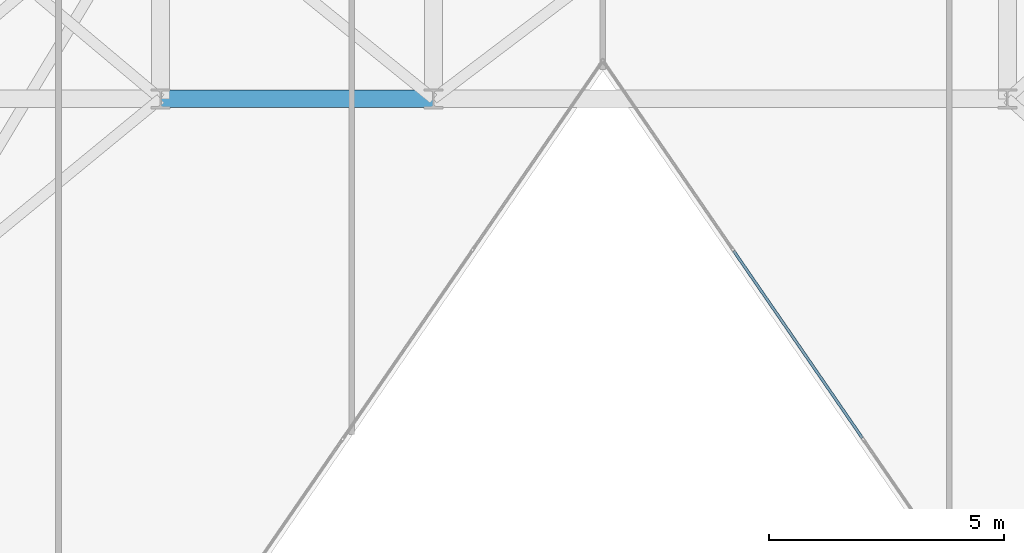
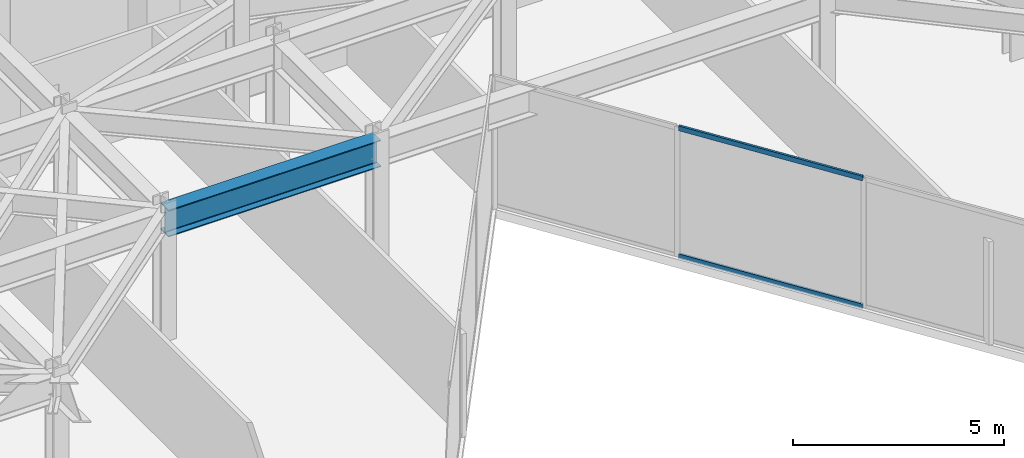
# One storey, part 5 of 21: 2 members, 1 beam, 1 element without a shape of its own.
"""IFC4 building model written with IfcOpenShell, lengths in metres."""

import ifcopenshell
import ifcopenshell.guid

model = None  # the IFC model being written
_history = None  # IfcOwnerHistory: only IFC2X3 demands one
_inside = {}  # id of a spatial element -> (the spatial element, [elements in it])
_under = {}  # id of a project, library or spatial element -> (it, [spatial elements below it])
_declared = {}  # id of a project -> (the project, [libraries it declares])
_typed = {}  # id of a type object -> (the type object, [elements of that type])
_made_of = {}  # id of a material, layer set ... -> (it, [elements and type objects made of it])


def new_model(schema):
    """Start an empty IFC model of exactly this schema.

    Asked for "IFC4X3", IfcOpenShell would pick the latest addendum, in which some entities
    have other attributes; the version numbers below select the first issue.
    IFC2X3 requires an IfcOwnerHistory on every rooted entity: one is made here for all.
    """
    global model, _history
    if schema == "IFC4X3":
        model = ifcopenshell.file(schema_version=(4, 3, 0, 0))
    else:
        model = ifcopenshell.file(schema=schema)
    _inside.clear()
    _under.clear()
    _declared.clear()
    _typed.clear()
    _made_of.clear()
    _history = None
    if model.schema == "IFC2X3":
        org = make("IfcOrganization", Name="unknown")
        user = make(
            "IfcPersonAndOrganization",
            ThePerson=make("IfcPerson", FamilyName="unknown"),
            TheOrganization=org,
        )
        app = make(
            "IfcApplication",
            ApplicationDeveloper=org,
            Version="unknown",
            ApplicationFullName="unknown",
            ApplicationIdentifier="unknown",
        )
        _history = make(
            "IfcOwnerHistory",
            OwningUser=user,
            OwningApplication=app,
            ChangeAction="ADDED",
            CreationDate=0,
        )
    return model


def make(cls, **values):
    """One entity of the class cls with the attributes given. An attribute that is None is left unset."""
    return model.create_entity(
        cls, **{name: value for name, value in values.items() if value is not None}
    )


def rooted(cls, **values):
    """An entity with a GlobalId (a new one), such as an element, a storey or a relation."""
    return make(cls, GlobalId=ifcopenshell.guid.new(), OwnerHistory=_history, **values)


def si_unit(unit_type, name, prefix=None):
    """IfcSIUnit, for example si_unit("LENGTHUNIT", "METRE", prefix="MILLI")."""
    return make("IfcSIUnit", UnitType=unit_type, Prefix=prefix, Name=name)


def assignment(units):
    """IfcUnitAssignment: the units of a project."""
    return None if units is None else make("IfcUnitAssignment", Units=units)


def point(xyz):
    """IfcCartesianPoint."""
    return None if xyz is None else make("IfcCartesianPoint", Coordinates=xyz)


def direction(xyz):
    """IfcDirection."""
    return None if xyz is None else make("IfcDirection", DirectionRatios=xyz)


def frame(location, z_axis=None, x_axis=None):
    """IfcAxis2Placement3D, a coordinate frame: its origin and axes. An axis left out is left unset."""
    return make(
        "IfcAxis2Placement3D",
        Location=point(location),
        Axis=direction(z_axis),
        RefDirection=direction(x_axis),
    )


def frame_2d(location, x_axis=None):
    """IfcAxis2Placement2D, a coordinate frame in the plane: its origin and x axis."""
    return make(
        "IfcAxis2Placement2D", Location=point(location), RefDirection=direction(x_axis)
    )


def origin():
    """The frame at (0, 0, 0) with its axes left unset."""
    return frame((0.0, 0.0, 0.0))


def origin_2d():
    """The frame at (0, 0) in the plane with its x axis left unset."""
    return frame_2d((0.0, 0.0))


def place(relative_to, where):
    """IfcLocalPlacement: puts the frame where relative to a parent placement (None: the world)."""
    return make(
        "IfcLocalPlacement", PlacementRelTo=relative_to, RelativePlacement=where
    )


def context(
    kind, dimensions, precision=None, world=None, true_north=None, identifier=None
):
    """IfcGeometricRepresentationContext, for example the 3D "Model" context."""
    return make(
        "IfcGeometricRepresentationContext",
        ContextIdentifier=identifier,
        ContextType=kind,
        CoordinateSpaceDimension=dimensions,
        Precision=precision,
        WorldCoordinateSystem=world,
        TrueNorth=true_north,
    )


def subcontext(parent, identifier, kind, view, scale=None):
    """IfcGeometricRepresentationSubContext, for example "Body" below "Model"."""
    return make(
        "IfcGeometricRepresentationSubContext",
        ContextIdentifier=identifier,
        ContextType=kind,
        ParentContext=parent,
        TargetScale=scale,
        TargetView=view,
    )


def project(units=None, contexts=None):
    """IfcProject with its units and contexts."""
    return rooted(
        "IfcProject",
        Name="project",
        RepresentationContexts=contexts,
        UnitsInContext=assignment(units),
    )


def spatial(cls, under=None, at=None, **own):
    """A site, building, storey or space (cls), placed at a placement, below another one or the project."""
    s = rooted(cls, ObjectPlacement=at, **own)
    if under is not None:
        _under.setdefault(under.id(), (under, []))[1].append(s)
    return s


def profile(cls, at=None, kind="AREA", **sizes):
    """A parametric profile (cls). Its sizes go by their IFC names, for example OverallWidth=200.0."""
    return make(cls, ProfileType=kind, Position=at, **sizes)


def hollow_rectangle(**sizes):
    """IfcRectangleHollowProfileDef."""
    return profile("IfcRectangleHollowProfileDef", **sizes)


def i_section(**sizes):
    """IfcIShapeProfileDef."""
    return profile("IfcIShapeProfileDef", **sizes)


def extrude(swept, where, along, depth):
    """IfcExtrudedAreaSolid: the profile swept, set in the frame where, extruded along a direction by depth."""
    return make(
        "IfcExtrudedAreaSolid",
        SweptArea=swept,
        Position=where,
        ExtrudedDirection=direction(along),
        Depth=depth,
    )


def shape(context_of_items, identifier, shape_type, items):
    """IfcShapeRepresentation: the items that make up one representation, for example the "Body"."""
    return make(
        "IfcShapeRepresentation",
        ContextOfItems=context_of_items,
        RepresentationIdentifier=identifier,
        RepresentationType=shape_type,
        Items=items,
    )


def material(Name=None, Category=None):
    """IfcMaterial."""
    return make("IfcMaterial", Name=Name, Category=Category)


def layer(
    of_material, thickness, ventilated=None, Name=None, Category=None, Priority=None
):
    """IfcMaterialLayer: one layer of a wall or slab, of a material (None: an air gap)."""
    return make(
        "IfcMaterialLayer",
        Material=of_material,
        LayerThickness=thickness,
        IsVentilated=ventilated,
        Name=Name,
        Category=Category,
        Priority=Priority,
    )


def layer_set(layers, Name=None):
    """IfcMaterialLayerSet."""
    return make("IfcMaterialLayerSet", MaterialLayers=layers, LayerSetName=Name)


def material_profile(
    of_material, cross_section, Name=None, Category=None, Priority=None
):
    """IfcMaterialProfile: a cross section and its material."""
    return make(
        "IfcMaterialProfile",
        Name=Name,
        Material=of_material,
        Profile=cross_section,
        Priority=Priority,
        Category=Category,
    )


def profile_set(profiles, Name=None, composite=None):
    """IfcMaterialProfileSet."""
    return make(
        "IfcMaterialProfileSet",
        Name=Name,
        MaterialProfiles=profiles,
        CompositeProfile=composite,
    )


def made_of(thing, what):
    """Note that an element or type object is made of a material, layer set ...; save() writes the relation."""
    if what is not None:
        _made_of.setdefault(what.id(), (what, []))[1].append(thing)
    return thing


def type_object(cls, material=None, **own):
    """A type object (cls), such as IfcWallType, which elements share."""
    return made_of(rooted(cls, **own), material)


def element(
    cls,
    number,
    at=None,
    inside=None,
    cuts=None,
    type_object=None,
    material=None,
    context=None,
    identifier="Body",
    shape_type=None,
    held_by="IfcProductDefinitionShape",
    body=None,
    shapes=None,
    **own,
):
    """One element of the class cls, such as IfcWall. Its Tag is "e" and its number.

    at: its placement. inside: the storey or other place that contains it. cuts: it is an
    opening in that element (IfcRelVoidsElement). A single representation is given by context,
    identifier, shape_type and body (its items); several are given by shapes. held_by: the class
    of the entity that holds the representations. save() writes the other relations.
    """
    e = rooted(cls, Tag="e%d" % number, ObjectPlacement=at, **own)
    if body is not None:
        shapes = [shape(context, identifier, shape_type, body)]
    if shapes is not None:
        e.Representation = make(held_by, Representations=shapes)
    if inside is not None:
        _inside.setdefault(inside.id(), (inside, []))[1].append(e)
    if cuts is not None:
        rooted(
            "IfcRelVoidsElement", RelatingBuildingElement=cuts, RelatedOpeningElement=e
        )
    if type_object is not None:
        _typed.setdefault(type_object.id(), (type_object, []))[1].append(e)
    return made_of(e, material)


def aggregate(whole, parts):
    """IfcRelAggregates: a whole, such as a stair, and the parts it consists of."""
    return rooted("IfcRelAggregates", RelatingObject=whole, RelatedObjects=parts)


def save(model, path):
    """Write the relations noted so far, then the file.

    IfcRelAggregates (storeys below a building ...), IfcRelContainedInSpatialStructure (elements
    in a storey), IfcRelDefinesByType, IfcRelAssociatesMaterial and IfcRelDeclares: one each for
    every whole, place, type object, material and project.
    """
    for whole, parts in _under.values():
        aggregate(whole, parts)
    for where, things in _inside.values():
        rooted(
            "IfcRelContainedInSpatialStructure",
            RelatedElements=things,
            RelatingStructure=where,
        )
    for kind, things in _typed.values():
        rooted("IfcRelDefinesByType", RelatedObjects=things, RelatingType=kind)
    for what, things in _made_of.values():
        rooted("IfcRelAssociatesMaterial", RelatedObjects=things, RelatingMaterial=what)
    for by, libraries in _declared.values():
        rooted("IfcRelDeclares", RelatingContext=by, RelatedDefinitions=libraries)
    model.write(path)


model = new_model("IFC4")

# Units and contexts
model_context = context("Model", 3, precision=1e-05, world=origin(), true_north=direction((0.0, 1.0)))
body_context = subcontext(model_context, "Body", "Model", "MODEL_VIEW")
ifc_project = project(units=[si_unit("LENGTHUNIT", "METRE"), si_unit("AREAUNIT", "SQUARE_METRE"), si_unit("VOLUMEUNIT", "CUBIC_METRE"), si_unit("PLANEANGLEUNIT", "RADIAN"), si_unit("MASSUNIT", "GRAM", prefix="KILO")], contexts=[model_context])

# Site, building, storey
site_placement = place(None, origin())
site = spatial("IfcSite", under=ifc_project, at=site_placement, CompositionType="ELEMENT")
building_placement = place(site_placement, origin())
building = spatial("IfcBuilding", under=site, at=building_placement, Name="Kravanh Interchange Tower", CompositionType="ELEMENT")
storey_placement = place(building_placement, frame((0.0, 0.0, 192.5)))
storey = spatial("IfcBuildingStorey", under=building, at=storey_placement, Name="L46", CompositionType="ELEMENT", Elevation=192.5)

# Curtain wall, members
ifc_material_1 = material(Name="Anodised Bronze Aluminium", Category="aluminium")
ifc_layer = layer(ifc_material_1, 0.179931640625)
ifc_layer_set = layer_set([ifc_layer], Name="Unitised Curtain Wall System CW-Z3 Upper Office")
curtain_wall_type = type_object("IfcCurtainWallType", Name="Unitised Curtain Wall System CW-Z3 Upper Office", PredefinedType="NOTDEFINED", material=ifc_layer_set)
curtain_wall_placement = place(storey_placement, origin())
curtain_wall = element("IfcCurtainWall", 1, at=curtain_wall_placement, inside=storey, type_object=curtain_wall_type, Name="L46 Unitised Curtain Wall CW-L46-03", PredefinedType="NOTDEFINED")
ifc_material_2 = material(Name="Anodised Bronze Aluminium", Category="aluminium")
ifc_material_profile_1 = material_profile(ifc_material_2, hollow_rectangle(XDim=0.06005859375, YDim=0.139892578125, WallThickness=0.00390625, at=origin_2d()), Name="ALU60X140X4")
ifc_profile_set_1 = profile_set([ifc_material_profile_1], Name="Anodised Bronze Aluminium")
member_type = type_object("IfcMemberType", Name="Curtain Wall Transom ALU60X140X4 Bronze", PredefinedType="USERDEFINED", material=ifc_profile_set_1)
member_1_placement = place(storey_placement, frame((47.714599609375, 19.590576171875, 0.030029296875), z_axis=(-0.566537417683, 0.824036015211, 0.0), x_axis=(-0.824036015211, -0.566537417683, 0.0)))
member_1 = element("IfcMember", 2, at=member_1_placement, type_object=member_type, Name="CW-Z3 transom 3.1", ObjectType="TRANSOM", PredefinedType="USERDEFINED", context=body_context, shape_type="SweptSolid", body=[
    extrude(hollow_rectangle(XDim=0.06005859375, YDim=0.139892578125, WallThickness=0.00390625, at=origin_2d()), origin(), (0.0, 0.0, 1.0), 4.822265625),
])
member_2_placement = place(storey_placement, frame((47.714599609375, 19.590576171875, 3.72509765625), z_axis=(-0.566537417683, 0.824036015211, 0.0), x_axis=(-0.824036015211, -0.566537417683, 0.0)))
member_2 = element("IfcMember", 3, at=member_2_placement, type_object=member_type, Name="CW-Z3 transom 3.2", ObjectType="TRANSOM", PredefinedType="USERDEFINED", context=body_context, shape_type="SweptSolid", body=[
    extrude(hollow_rectangle(XDim=0.06005859375, YDim=0.139892578125, WallThickness=0.00390625, at=origin_2d()), origin(), (0.0, 0.0, 1.0), 4.822265625),
])
aggregate(curtain_wall, [member_1, member_2])

# Beam
ifc_material_3 = material(Name="Structural Steel S355", Category="steel")
ifc_material_profile_2 = material_profile(ifc_material_3, i_section(OverallWidth=0.381103515625, OverallDepth=0.77294921875, WebThickness=0.0166015625, FlangeThickness=0.027099609375, FilletRadius=0.02490234375, at=origin_2d()), Name="W30X173")
ifc_profile_set_2 = profile_set([ifc_material_profile_2], Name="Structural Steel S355")
beam_type = type_object("IfcBeamType", Name="Floor Beam W30X173 Structural Steel S355", PredefinedType="BEAM", material=ifc_profile_set_2)
beam_placement = place(storey_placement, frame((32.800048828125, 26.800048828125, 3.368408203125), z_axis=(1.0, 0.0, 0.0), x_axis=(0.0, 1.0, 0.0)))
element("IfcBeam", 4, at=beam_placement, inside=storey, type_object=beam_type, Name="L46 Primary Floor Girder 42", PredefinedType="BEAM", context=body_context, shape_type="SweptSolid", body=[
    extrude(i_section(OverallWidth=0.381103515625, OverallDepth=0.77294921875, WebThickness=0.0166015625, FlangeThickness=0.027099609375, FilletRadius=0.02490234375, at=origin_2d()), origin(), (0.0, 0.0, 1.0), 5.800048828125),
])

save(model, "model.ifc")
